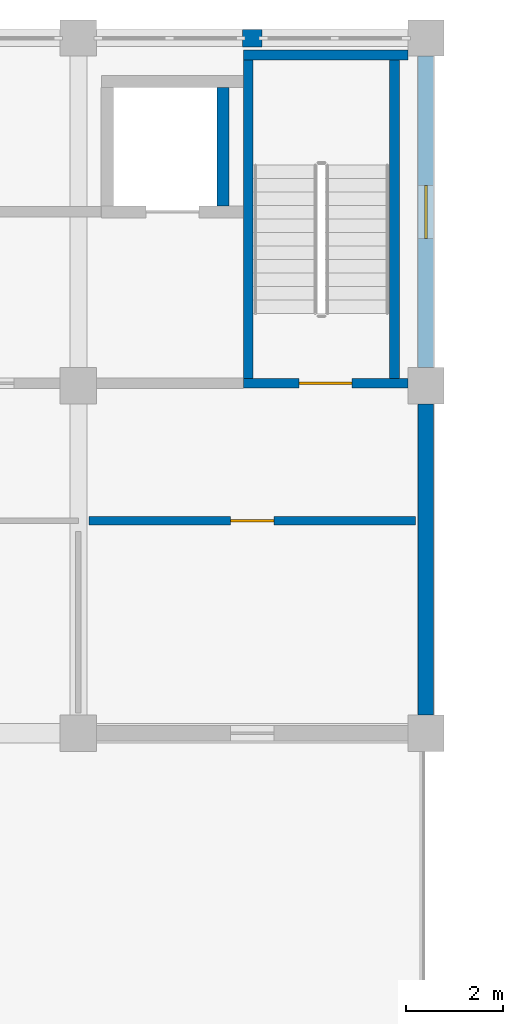
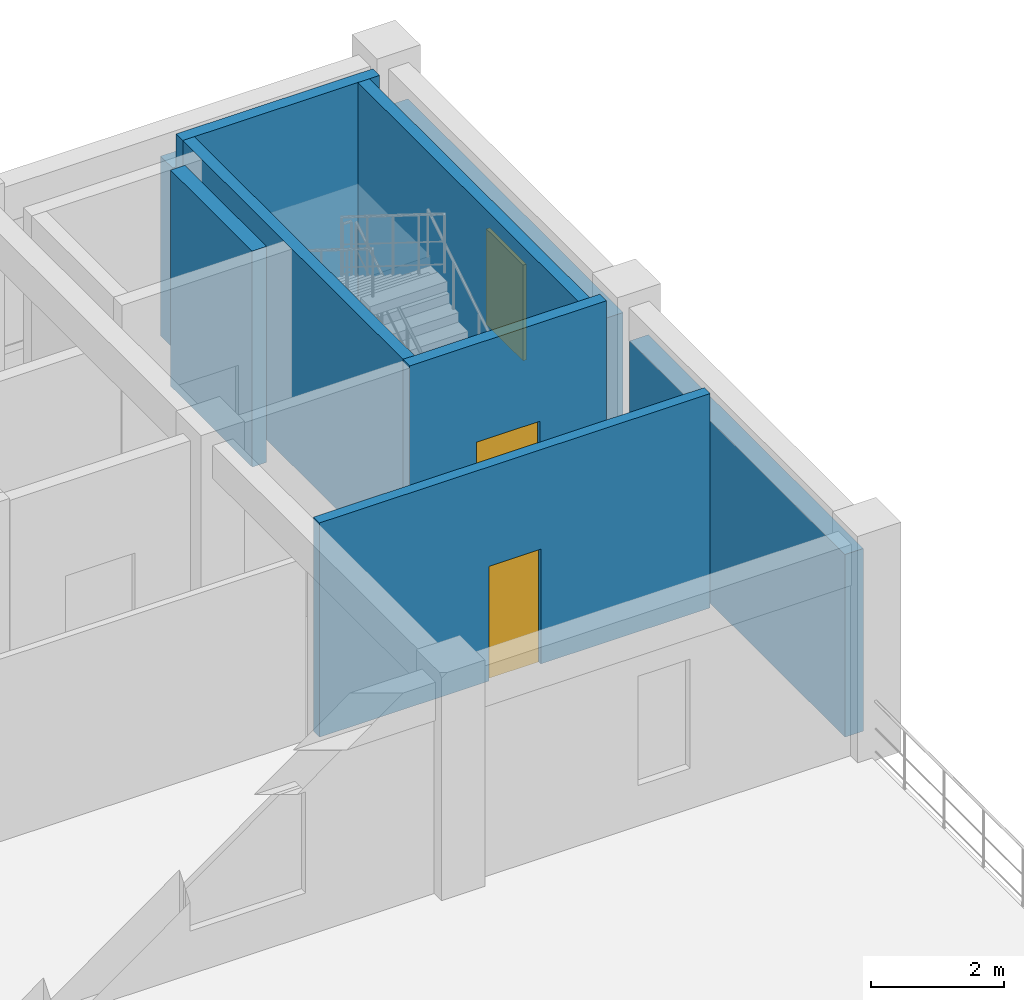
# One storey, part 116 of 136: 9 walls, 2 doors, 1 window, 3 openings.
"""IFC4 building model written with IfcOpenShell, lengths in metres."""

from ifc_helpers import new_model, si_unit, direction, frame, frame_2d, origin, place, context, subcontext, project, spatial, rectangle, extrude, material, layer, layer_set, type_object, element, fill, save


model = new_model("IFC4")

# Units and contexts
model_context = context("Model", 3, precision=1e-05, world=origin(), true_north=direction((0.0, 1.0)))
body_context = subcontext(model_context, "Body", "Model", "MODEL_VIEW")
ifc_project = project(units=[si_unit("LENGTHUNIT", "METRE"), si_unit("AREAUNIT", "SQUARE_METRE"), si_unit("VOLUMEUNIT", "CUBIC_METRE"), si_unit("PLANEANGLEUNIT", "RADIAN"), si_unit("MASSUNIT", "GRAM", prefix="KILO")], contexts=[model_context])

# Site, building, storey
site_placement = place(None, origin())
site = spatial("IfcSite", under=ifc_project, at=site_placement, CompositionType="ELEMENT")
building_placement = place(site_placement, origin())
building = spatial("IfcBuilding", under=site, at=building_placement, Name="Koriwan Promenade Central Fire Station", CompositionType="ELEMENT")
storey_placement = place(building_placement, frame((0.0, 0.0, 5.39990234375)))
storey = spatial("IfcBuildingStorey", under=building, at=storey_placement, Name="L01", CompositionType="ELEMENT", Elevation=5.39990234375)

# Walls
ifc_material_1 = material(Name="Natural sillar sandstone ashlar", Category="masonry")
ifc_layer_1 = layer(ifc_material_1, 0.360107421875, Name="Natural sillar sandstone ashlar")
ifc_layer_set_1 = layer_set([ifc_layer_1], Name="Natural sillar sandstone ashlar")
wall_type_1 = type_object("IfcWallType", Name="ExtWall_SillarBase_360", PredefinedType="SOLIDWALL", material=ifc_layer_set_1)
wall_1_placement = place(storey_placement, frame((97.39990234375, 115.199951171875, 0.0), z_axis=(0.0, 0.0, 1.0), x_axis=(-1.0, 0.0, 0.0)))
element("IfcWall", 1, at=wall_1_placement, inside=storey, type_object=wall_type_1, Name="V2 L01 sillar facade mullion pier 63", PredefinedType="SOLIDWALL", context=body_context, shape_type="SweptSolid", body=[
    extrude(rectangle(XDim=0.39990234375, YDim=0.360107421875, at=frame_2d((0.199951171875, 0.0))), origin(), (0.0, 0.0, 1.0), 3.2900390625),
])
ifc_material_2 = material(Name="Precast concrete C40/50", Category="concrete")
ifc_layer_2 = layer(ifc_material_2, 0.320068359375, Name="Precast concrete C40/50")
ifc_layer_set_2 = layer_set([ifc_layer_2], Name="Precast concrete C40/50")
wall_type_2 = type_object("IfcWallType", Name="ExtWall_Terracotta_320", PredefinedType="ELEMENTEDWALL", material=ifc_layer_set_2)
wall_2_placement = place(storey_placement, frame((100.800048828125, 101.175048828125, 0.0), z_axis=(0.0, 0.0, 1.0), x_axis=(0.0, 1.0, 0.0)))
element("IfcWall", 2, at=wall_2_placement, inside=storey, type_object=wall_type_2, Name="V2 L01 exterior wall 61", PredefinedType="ELEMENTEDWALL", context=body_context, shape_type="SweptSolid", body=[
    extrude(rectangle(XDim=6.449951171875, YDim=0.320068359375, at=frame_2d((3.22509765625, 0.0))), origin(), (0.0, 0.0, 1.0), 3.340087890625),
])

# Wall, opening, window
wall_3_placement = place(storey_placement, frame((100.800048828125, 108.375, 0.0), z_axis=(0.0, 0.0, 1.0), x_axis=(0.0, 1.0, 0.0)))
wall_3 = element("IfcWall", 3, at=wall_3_placement, inside=storey, type_object=wall_type_2, Name="V2 L01 exterior wall 62", PredefinedType="ELEMENTEDWALL", context=body_context, shape_type="SweptSolid", body=[
    extrude(rectangle(XDim=6.449951171875, YDim=0.320068359375, at=frame_2d((3.22509765625, 0.0))), origin(), (0.0, 0.0, 1.0), 3.2900390625),
])
opening_1_placement = place(wall_3_placement, frame((2.675048828125, 0.0, 0.85009765625)))
opening_1 = element("IfcOpeningElement", 4, at=opening_1_placement, cuts=wall_3, Name="Opening W-09", PredefinedType="OPENING", context=body_context, shape_type="SweptSolid", body=[
    extrude(rectangle(XDim=1.10009765625, YDim=1.75, at=frame_2d((0.550048828125, 0.875))), frame((0.0, 0.171875, 0.0), z_axis=(0.0, -1.0, 0.0), x_axis=(1.0, 0.0, 0.0)), (0.0, 0.0, 1.0), 0.343994140625),
])
ifc_material_3 = material(Name="Solar-control low-E laminated double glazing", Category="glass")
window_type = type_object("IfcWindowType", Name="Win_Drill_1100x1750", PartitioningType="SINGLE_PANEL", PredefinedType="WINDOW", material=ifc_material_3)
window_placement = place(opening_1_placement, origin())
window = element("IfcWindow", 5, at=window_placement, inside=storey, type_object=window_type, Name="V2 L01 window 0029", OverallHeight=1.75, OverallWidth=1.10009765625, PartitioningType="SINGLE_PANEL", PredefinedType="WINDOW", context=body_context, shape_type="SweptSolid", body=[
    extrude(rectangle(XDim=1.10009765625, YDim=1.75, at=frame_2d((0.550048828125, 0.875))), frame((0.0, 0.030029296875, 0.0), z_axis=(0.0, -1.0, 0.0), x_axis=(1.0, 0.0, 0.0)), (0.0, 0.0, 1.0), 0.06005859375),
])
fill(opening_1, window)

# Wall, opening, door
ifc_material_4 = material(Name="Moisture-resistant sanitary chase wall", Category="gypsum")
ifc_layer_3 = layer(ifc_material_4, 0.179931640625, Name="Moisture-resistant sanitary chase wall")
ifc_layer_set_3 = layer_set([ifc_layer_3], Name="Moisture-resistant sanitary chase wall")
wall_type_3 = type_object("IfcWallType", Name="IntWall_Plumbing_180", PredefinedType="PLUMBINGWALL", material=ifc_layer_set_3)
wall_4_placement = place(storey_placement, frame((93.820068359375, 105.199951171875, 0.0), z_axis=(0.0, 0.0, 1.0), x_axis=(1.0, 0.0, 0.0)))
wall_4 = element("IfcWall", 6, at=wall_4_placement, inside=storey, type_object=wall_type_3, Name="Drill L01 Accessible WC partition N", PredefinedType="PLUMBINGWALL", context=body_context, shape_type="SweptSolid", body=[
    extrude(rectangle(XDim=6.760009765625, YDim=0.179931640625, at=frame_2d((3.3798828125, 0.0))), origin(), (0.0, 0.0, 1.0), 3.920166015625),
])
opening_2_placement = place(wall_4_placement, frame((2.929931640625, 0.0, 0.0)))
opening_2 = element("IfcOpeningElement", 7, at=opening_2_placement, cuts=wall_4, Name="Opening D-131", PredefinedType="OPENING", context=body_context, shape_type="SweptSolid", body=[
    extrude(rectangle(XDim=0.89990234375, YDim=2.10009765625, at=frame_2d((0.449951171875, 1.050048828125))), frame((0.0, 0.10205078125, 0.0), z_axis=(0.0, -1.0, 0.0), x_axis=(1.0, 0.0, 0.0)), (0.0, 0.0, 1.0), 0.203857421875),
])
ifc_material_5 = material(Name="High-pressure laminate moisture-resistant core", Category="wood")
door_type_1 = type_object("IfcDoorType", Name="RoomDoor_WC_900x2100", OperationType="NOTDEFINED", PredefinedType="DOOR", material=ifc_material_5)
door_1_placement = place(opening_2_placement, origin())
door_1 = element("IfcDoor", 8, at=door_1_placement, inside=storey, type_object=door_type_1, Name="Drill L01 Accessible WC Door D-131", OperationType="SINGLE_SWING_LEFT", OverallHeight=2.10009765625, OverallWidth=0.89990234375, PredefinedType="DOOR", context=body_context, shape_type="SweptSolid", body=[
    extrude(rectangle(XDim=0.89990234375, YDim=2.10009765625, at=frame_2d((0.449951171875, 1.050048828125))), frame((0.0, 0.02490234375, 0.0), z_axis=(0.0, -1.0, 0.0), x_axis=(1.0, 0.0, 0.0)), (0.0, 0.0, 1.0), 0.050048828125),
])
fill(opening_2, door_1)

ifc_material_6 = material(Name="Concrete C40/50", Category="concrete")
ifc_layer_4 = layer(ifc_material_6, 0.199951171875, Name="Concrete C40/50")
ifc_layer_set_4 = layer_set([ifc_layer_4], Name="Concrete C40/50")
wall_type_4 = type_object("IfcWallType", Name="ShearWall_200", PredefinedType="SHEAR", material=ifc_layer_set_4)
wall_5_placement = place(storey_placement, frame((97.02001953125, 108.050048828125, 0.0), z_axis=(0.0, 0.0, 1.0), x_axis=(1.0, 0.0, 0.0)))
wall_5 = element("IfcWall", 9, at=wall_5_placement, inside=storey, type_object=wall_type_4, Name="ST04 L01 structural stair wall S", PredefinedType="SHEAR", context=body_context, shape_type="SweptSolid", body=[
    extrude(rectangle(XDim=3.405029296875, YDim=0.199951171875, at=frame_2d((1.70263671875, 0.0))), origin(), (0.0, 0.0, 1.0), 3.9501953125),
])
opening_3_placement = place(wall_5_placement, frame((1.152587890625, 0.0, 0.0)))
opening_3 = element("IfcOpeningElement", 10, at=opening_3_placement, cuts=wall_5, Name="Opening SD-009", PredefinedType="OPENING", context=body_context, shape_type="SweptSolid", body=[
    extrude(rectangle(XDim=1.10009765625, YDim=2.14990234375, at=frame_2d((0.550048828125, 1.074951171875))), frame((0.0, 0.11181640625, 0.0), z_axis=(0.0, -1.0, 0.0), x_axis=(1.0, 0.0, 0.0)), (0.0, 0.0, 1.0), 0.223876953125),
])
ifc_material_7 = material(Name="Painted galvanized fire-door steel", Category="steel")
door_type_2 = type_object("IfcDoorType", Name="FireDoor_Stair_1100x2150", OperationType="NOTDEFINED", PredefinedType="DOOR", material=ifc_material_7)
door_2_placement = place(opening_3_placement, origin())
door_2 = element("IfcDoor", 11, at=door_2_placement, inside=storey, type_object=door_type_2, Name="Protected Stair ST04 Fire Door SD-009", OperationType="SINGLE_SWING_RIGHT", OverallHeight=2.14990234375, OverallWidth=1.10009765625, PredefinedType="DOOR", context=body_context, shape_type="SweptSolid", body=[
    extrude(rectangle(XDim=1.10009765625, YDim=2.14990234375, at=frame_2d((0.550048828125, 1.074951171875))), frame((0.0, 0.02490234375, 0.0), z_axis=(0.0, -1.0, 0.0), x_axis=(1.0, 0.0, 0.0)), (0.0, 0.0, 1.0), 0.050048828125),
])
fill(opening_3, door_2)

# Walls
wall_6_placement = place(storey_placement, frame((97.02001953125, 114.85009765625, 0.0), z_axis=(0.0, 0.0, 1.0), x_axis=(1.0, 0.0, 0.0)))
element("IfcWall", 12, at=wall_6_placement, inside=storey, type_object=wall_type_4, Name="ST04 L01 structural stair wall N", PredefinedType="SHEAR", context=body_context, shape_type="SweptSolid", body=[
    extrude(rectangle(XDim=3.405029296875, YDim=0.199951171875, at=frame_2d((1.70263671875, 0.0))), origin(), (0.0, 0.0, 1.0), 3.9501953125),
])
for number, where, z_axis, x_axis, name in (
    (13, (97.1201171875, 108.14990234375, 0.0), (0.0, 0.0, 1.0), (0.0, 1.0, 0.0), "ST04 L01 structural stair wall W"),
    (14, (100.14990234375, 108.14990234375, 0.0), (0.0, 0.0, 1.0), (0.0, 1.0, 0.0), "ST04 L01 structural stair wall E"),
):
    element("IfcWall", number, at=place(storey_placement, frame(where, z_axis=z_axis, x_axis=x_axis)), inside=storey, type_object=wall_type_4, Name=name, PredefinedType="SHEAR", context=body_context, shape_type="SweptSolid", body=[
        extrude(rectangle(XDim=6.60009765625, YDim=0.199951171875, at=frame_2d((3.300048828125, 0.0))), origin(), (0.0, 0.0, 1.0), 3.9501953125),
    ])
ifc_layer_5 = layer(ifc_material_6, 0.25, Name="Concrete C40/50")
ifc_layer_set_5 = layer_set([ifc_layer_5], Name="Concrete C40/50")
wall_type_5 = type_object("IfcWallType", Name="ShearWall_250", PredefinedType="SHEAR", material=ifc_layer_set_5)
wall_7_placement = place(storey_placement, frame((96.60009765625, 111.72509765625, 0.0), z_axis=(0.0, 0.0, 1.0), x_axis=(0.0, 1.0, 0.0)))
element("IfcWall", 15, at=wall_7_placement, inside=storey, type_object=wall_type_5, Name="LF02 shaft wall E (L01)", PredefinedType="SHEAR", context=body_context, shape_type="SweptSolid", body=[
    extrude(rectangle(XDim=2.449951171875, YDim=0.25, at=frame_2d((1.22509765625, 0.0))), origin(), (0.0, 0.0, 1.0), 3.9501953125),
])

save(model, "model.ifc")
